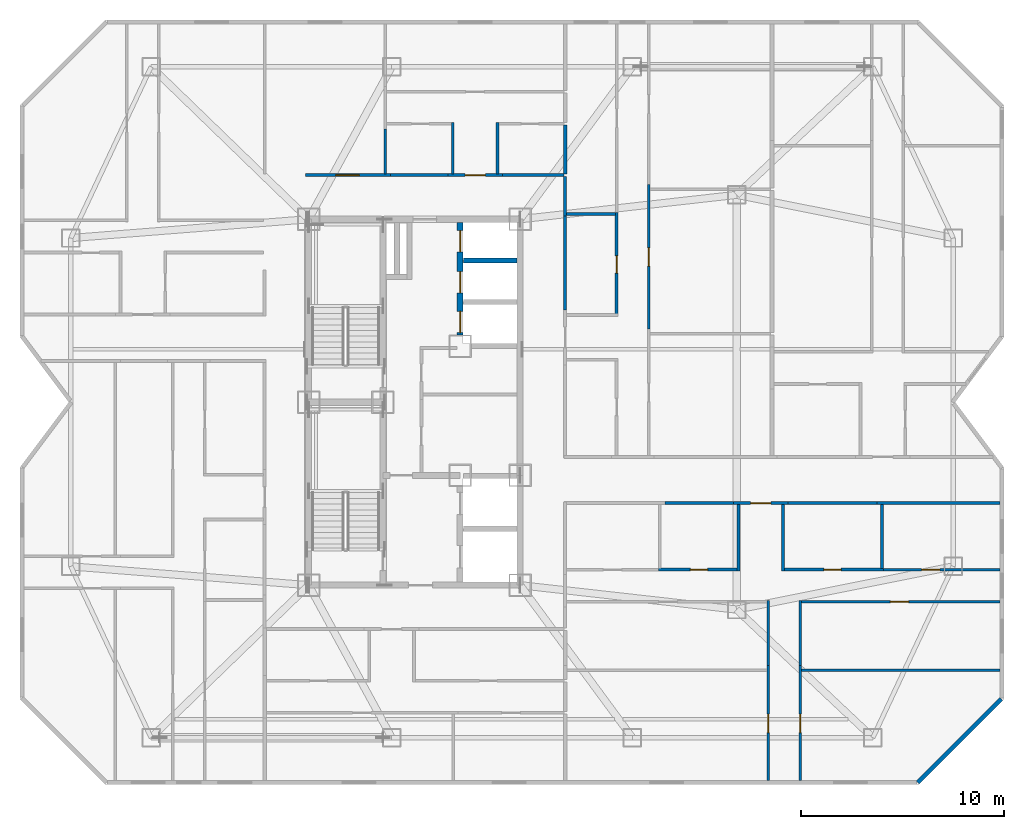
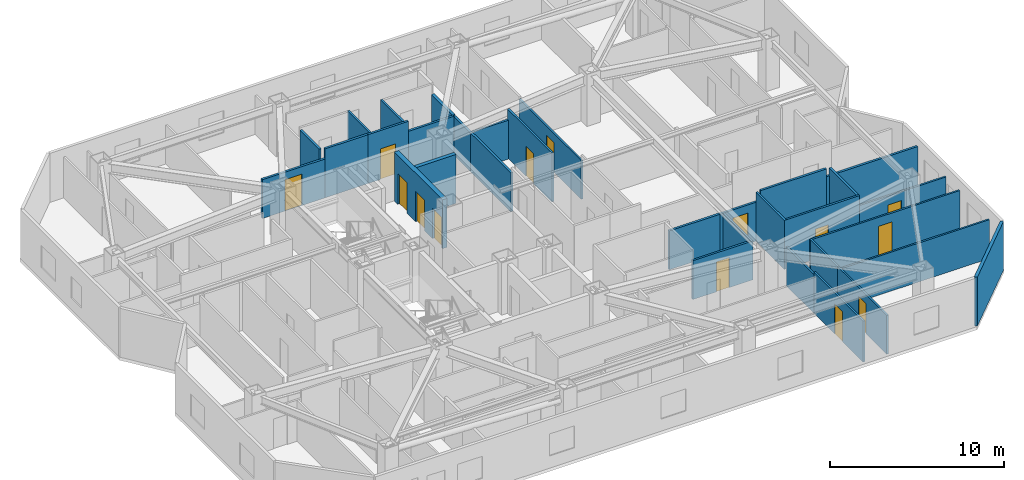
# One storey, part 8 of 11: 32 walls, 14 doors, 14 openings.
"""IFC4 building model written with IfcOpenShell, lengths in metres."""

from ifc_helpers import new_model, si_unit, direction, frame, frame_2d, origin, place, context, subcontext, project, spatial, rectangle, extrude, material, layer, layer_set, type_object, element, fill, save


model = new_model("IFC4")

# Units and contexts
model_context = context("Model", 3, precision=1e-05, world=origin(), true_north=direction((0.0, 1.0)))
body_context = subcontext(model_context, "Body", "Model", "MODEL_VIEW")
ifc_project = project(units=[si_unit("LENGTHUNIT", "METRE"), si_unit("AREAUNIT", "SQUARE_METRE"), si_unit("VOLUMEUNIT", "CUBIC_METRE"), si_unit("PLANEANGLEUNIT", "RADIAN"), si_unit("MASSUNIT", "GRAM", prefix="KILO")], contexts=[model_context])

# Site, building, storey
site_placement = place(None, origin())
site = spatial("IfcSite", under=ifc_project, at=site_placement, CompositionType="ELEMENT")
building_placement = place(site_placement, origin())
building = spatial("IfcBuilding", under=site, at=building_placement, Name="Khamvora Tower", CompositionType="ELEMENT")
storey_placement = place(building_placement, frame((0.0, 0.0, 185.10009765625)))
storey = spatial("IfcBuildingStorey", under=building, at=storey_placement, Name="L47", CompositionType="ELEMENT", Elevation=185.10009765625)

# Wall, openings, doors
ifc_material_1 = material(Name="Concrete C50/60", Category="concrete")
ifc_layer_1 = layer(ifc_material_1, 0.300048828125)
ifc_layer_set_1 = layer_set([ifc_layer_1], Name="Concrete C50/60")
wall_type_1 = type_object("IfcWallType", Name="WAL-CORE-300", PredefinedType="SHEAR", material=ifc_layer_set_1)
wall_1_placement = place(storey_placement, frame((36.449951171875, 31.300048828125, 0.0), z_axis=(0.0, 0.0, 1.0), x_axis=(0.0, 1.0, 0.0)))
wall_1 = element("IfcWall", 1, at=wall_1_placement, inside=storey, type_object=wall_type_1, Name="L47 central core lift bank central wall", PredefinedType="SHEAR", context=body_context, shape_type="SweptSolid", body=[
    extrude(rectangle(XDim=5.5458984375, YDim=0.300048828125, at=frame_2d((2.77294921875, 0.0))), origin(), (0.0, 0.0, 1.0), 3.429931640625),
])
opening_1_placement = place(wall_1_placement, frame((0.1201171875, 0.0, 0.0)))
opening_1 = element("IfcOpeningElement", 2, at=opening_1_placement, cuts=wall_1, Name="Opening LD-PL", PredefinedType="OPENING", context=body_context, shape_type="SweptSolid", body=[
    extrude(rectangle(XDim=1.050048828125, YDim=2.14990234375, at=frame_2d((0.52490234375, 1.074951171875))), frame((0.0, 0.159912109375, 0.0), z_axis=(0.0, -1.0, 0.0), x_axis=(1.0, 0.0, 0.0)), (0.0, 0.0, 1.0), 0.320068359375),
])
opening_2_placement = place(wall_1_placement, frame((2.074951171875, 0.0, 0.0)))
opening_2 = element("IfcOpeningElement", 3, at=opening_2_placement, cuts=wall_1, Name="Opening LD-PL", PredefinedType="OPENING", context=body_context, shape_type="SweptSolid", body=[
    extrude(rectangle(XDim=1.050048828125, YDim=2.14990234375, at=frame_2d((0.52490234375, 1.074951171875))), frame((0.0, 0.159912109375, 0.0), z_axis=(0.0, -1.0, 0.0), x_axis=(1.0, 0.0, 0.0)), (0.0, 0.0, 1.0), 0.320068359375),
])
opening_3_placement = place(wall_1_placement, frame((4.094970703125, 0.0, 0.0)))
opening_3 = element("IfcOpeningElement", 4, at=opening_3_placement, cuts=wall_1, Name="Opening LD-PL", PredefinedType="OPENING", context=body_context, shape_type="SweptSolid", body=[
    extrude(rectangle(XDim=1.050048828125, YDim=2.14990234375, at=frame_2d((0.52490234375, 1.074951171875))), frame((0.0, 0.159912109375, 0.0), z_axis=(0.0, -1.0, 0.0), x_axis=(1.0, 0.0, 0.0)), (0.0, 0.0, 1.0), 0.320068359375),
])
ifc_material_2 = material(Name="Powder-Coated Steel and Hardwood Leaf", Category="steel")
door_type_1 = type_object("IfcDoorType", Name="DOR-LIFT-1050", OperationType="SLIDING_TO_LEFT", PredefinedType="DOOR", material=ifc_material_2)
door_1_placement = place(opening_1_placement, origin())
door_1 = element("IfcDoor", 5, at=door_1_placement, inside=storey, type_object=door_type_1, Name="L47 lift landing sliding door PH-01", OperationType="SLIDING_TO_LEFT", OverallHeight=2.14990234375, OverallWidth=1.050048828125, PredefinedType="DOOR", context=body_context, shape_type="SweptSolid", body=[
    extrude(rectangle(XDim=1.050048828125, YDim=2.14990234375, at=frame_2d((0.52490234375, 1.074951171875))), frame((0.0, 0.02490234375, 0.0), z_axis=(0.0, -1.0, 0.0), x_axis=(1.0, 0.0, 0.0)), (0.0, 0.0, 1.0), 0.050048828125),
])
fill(opening_1, door_1)
door_2_placement = place(opening_2_placement, origin())
door_2 = element("IfcDoor", 6, at=door_2_placement, inside=storey, type_object=door_type_1, Name="L47 lift landing sliding door PH-02", OperationType="SLIDING_TO_LEFT", OverallHeight=2.14990234375, OverallWidth=1.050048828125, PredefinedType="DOOR", context=body_context, shape_type="SweptSolid", body=[
    extrude(rectangle(XDim=1.050048828125, YDim=2.14990234375, at=frame_2d((0.52490234375, 1.074951171875))), frame((0.0, 0.02490234375, 0.0), z_axis=(0.0, -1.0, 0.0), x_axis=(1.0, 0.0, 0.0)), (0.0, 0.0, 1.0), 0.050048828125),
])
fill(opening_2, door_2)
door_3_placement = place(opening_3_placement, origin())
door_3 = element("IfcDoor", 7, at=door_3_placement, inside=storey, type_object=door_type_1, Name="L47 lift landing sliding door PH-03", OperationType="SLIDING_TO_LEFT", OverallHeight=2.14990234375, OverallWidth=1.050048828125, PredefinedType="DOOR", context=body_context, shape_type="SweptSolid", body=[
    extrude(rectangle(XDim=1.050048828125, YDim=2.14990234375, at=frame_2d((0.52490234375, 1.074951171875))), frame((0.0, 0.02490234375, 0.0), z_axis=(0.0, -1.0, 0.0), x_axis=(1.0, 0.0, 0.0)), (0.0, 0.0, 1.0), 0.050048828125),
])
fill(opening_3, door_3)

# Wall, opening, door
ifc_material_3 = material(Name="Fire-Rated Drywall and Steel Stud", Category="steel")
ifc_layer_2 = layer(ifc_material_3, 0.14990234375)
ifc_layer_set_2 = layer_set([ifc_layer_2], Name="Fire-Rated Drywall and Steel Stud")
wall_type_2 = type_object("IfcWallType", Name="WAL-CORR-150", PredefinedType="STANDARD", material=ifc_layer_set_2)
wall_2_placement = place(storey_placement, frame((28.85009765625, 39.1650390625, 0.0), z_axis=(0.0, 0.0, 1.0), x_axis=(1.0, 0.0, 0.0)))
wall_2 = element("IfcWall", 8, at=wall_2_placement, inside=storey, type_object=wall_type_2, Name="L47 interior partition wall 005", PredefinedType="STANDARD", context=body_context, shape_type="SweptSolid", body=[
    extrude(rectangle(XDim=4.163818359375, YDim=0.14990234375, at=frame_2d((2.08203125, 0.0))), origin(), (0.0, 0.0, 1.0), 2.724853515625),
])
opening_4_placement = place(wall_2_placement, frame((1.486083984375, 0.0, 0.0)))
opening_4 = element("IfcOpeningElement", 9, at=opening_4_placement, cuts=wall_2, Name="Opening D-SC1", PredefinedType="OPENING", context=body_context, shape_type="SweptSolid", body=[
    extrude(rectangle(XDim=1.14990234375, YDim=2.199951171875, at=frame_2d((0.574951171875, 1.10009765625))), frame((0.0, 0.0849609375, 0.0), z_axis=(0.0, -1.0, 0.0), x_axis=(1.0, 0.0, 0.0)), (0.0, 0.0, 1.0), 0.169921875),
])
door_type_2 = type_object("IfcDoorType", Name="DOR-SCHL-1150", OperationType="NOTDEFINED", PredefinedType="DOOR", material=ifc_material_2)
door_4_placement = place(opening_4_placement, origin())
door_4 = element("IfcDoor", 10, at=door_4_placement, inside=storey, type_object=door_type_2, Name="L47 interior door COR-FSTD", OperationType="SINGLE_SWING_LEFT", OverallHeight=2.199951171875, OverallWidth=1.14990234375, PredefinedType="DOOR", context=body_context, shape_type="SweptSolid", body=[
    extrude(rectangle(XDim=1.14990234375, YDim=2.199951171875, at=frame_2d((0.574951171875, 1.10009765625))), frame((0.0, 0.02490234375, 0.0), z_axis=(0.0, -1.0, 0.0), x_axis=(1.0, 0.0, 0.0)), (0.0, 0.0, 1.0), 0.050048828125),
])
fill(opening_4, door_4)

wall_3_placement = place(storey_placement, frame((35.841064453125, 39.1650390625, 0.0), z_axis=(0.0, 0.0, 1.0), x_axis=(1.0, 0.0, 0.0)))
wall_3 = element("IfcWall", 11, at=wall_3_placement, inside=storey, type_object=wall_type_2, Name="L47 interior partition wall 021", PredefinedType="STANDARD", context=body_context, shape_type="SweptSolid", body=[
    extrude(rectangle(XDim=2.697998046875, YDim=0.14990234375, at=frame_2d((1.34912109375, 0.0))), origin(), (0.0, 0.0, 1.0), 3.429931640625),
])
opening_5_placement = place(wall_3_placement, frame((0.84912109375, 0.0, 0.0)))
opening_5 = element("IfcOpeningElement", 12, at=opening_5_placement, cuts=wall_3, Name="Opening D-U1", PredefinedType="OPENING", context=body_context, shape_type="SweptSolid", body=[
    extrude(rectangle(XDim=1.0, YDim=2.14990234375, at=frame_2d((0.5, 1.074951171875))), frame((0.0, 0.0849609375, 0.0), z_axis=(0.0, -1.0, 0.0), x_axis=(1.0, 0.0, 0.0)), (0.0, 0.0, 1.0), 0.169921875),
])
door_type_3 = type_object("IfcDoorType", Name="DOR-UNIT-1000", OperationType="NOTDEFINED", PredefinedType="DOOR", material=ifc_material_2)
door_5_placement = place(opening_5_placement, origin())
door_5 = element("IfcDoor", 13, at=door_5_placement, inside=storey, type_object=door_type_3, Name="L47 interior door COR-47NAH", OperationType="SINGLE_SWING_LEFT", OverallHeight=2.14990234375, OverallWidth=1.0, PredefinedType="DOOR", context=body_context, shape_type="SweptSolid", body=[
    extrude(rectangle(XDim=1.0, YDim=2.14990234375, at=frame_2d((0.5, 1.074951171875))), frame((0.0, 0.02490234375, 0.0), z_axis=(0.0, -1.0, 0.0), x_axis=(1.0, 0.0, 0.0)), (0.0, 0.0, 1.0), 0.050048828125),
])
fill(opening_5, door_5)

# Walls
wall_4_placement = place(storey_placement, frame((33.013916015625, 39.1650390625, 0.0), z_axis=(0.0, 0.0, 1.0), x_axis=(1.0, 0.0, 0.0)))
element("IfcWall", 14, at=wall_4_placement, inside=storey, type_object=wall_type_2, Name="L47 interior partition wall 022", PredefinedType="STANDARD", context=body_context, shape_type="SweptSolid", body=[
    extrude(rectangle(XDim=2.8271484375, YDim=0.14990234375, at=frame_2d((1.41357421875, 0.0))), origin(), (0.0, 0.0, 1.0), 3.429931640625),
])
wall_5_placement = place(storey_placement, frame((38.5390625, 39.1650390625, 0.0), z_axis=(0.0, 0.0, 1.0), x_axis=(1.0, 0.0, 0.0)))
element("IfcWall", 15, at=wall_5_placement, inside=storey, type_object=wall_type_2, Name="L47 interior partition wall 023", PredefinedType="STANDARD", context=body_context, shape_type="SweptSolid", body=[
    extrude(rectangle(XDim=3.010986328125, YDim=0.14990234375, at=frame_2d((1.50537109375, 0.0))), origin(), (0.0, 0.0, 1.0), 2.724853515625),
])
wall_6_placement = place(storey_placement, frame((63.008056640625, 23.034912109375, 0.0), z_axis=(0.0, 0.0, 1.0), x_axis=(-1.0, 0.0, 0.0)))
element("IfcWall", 16, at=wall_6_placement, inside=storey, type_object=wall_type_2, Name="L47 interior partition wall 026", PredefinedType="STANDARD", context=body_context, shape_type="SweptSolid", body=[
    extrude(rectangle(XDim=6.05712890625, YDim=0.14990234375, at=frame_2d((3.028564453125, 0.0))), origin(), (0.0, 0.0, 1.0), 2.8759765625),
])

# Wall, opening, door
wall_7_placement = place(storey_placement, frame((52.583984375, 23.034912109375, 0.0), z_axis=(0.0, 0.0, 1.0), x_axis=(-1.0, 0.0, 0.0)))
wall_7 = element("IfcWall", 17, at=wall_7_placement, inside=storey, type_object=wall_type_2, Name="L47 interior partition wall 027", PredefinedType="STANDARD", context=body_context, shape_type="SweptSolid", body=[
    extrude(rectangle(XDim=2.697998046875, YDim=0.14990234375, at=frame_2d((1.34912109375, 0.0))), origin(), (0.0, 0.0, 1.0), 2.724853515625),
])
opening_6_placement = place(wall_7_placement, frame((0.84912109375, 0.0, 0.0)))
opening_6 = element("IfcOpeningElement", 18, at=opening_6_placement, cuts=wall_7, Name="Opening D-U1", PredefinedType="OPENING", context=body_context, shape_type="SweptSolid", body=[
    extrude(rectangle(XDim=1.0, YDim=2.14990234375, at=frame_2d((0.5, 1.074951171875))), frame((0.0, 0.0849609375, 0.0), z_axis=(0.0, -1.0, 0.0), x_axis=(1.0, 0.0, 0.0)), (0.0, 0.0, 1.0), 0.169921875),
])
door_6_placement = place(opening_6_placement, origin())
door_6 = element("IfcDoor", 19, at=door_6_placement, inside=storey, type_object=door_type_3, Name="L47 interior door COR-47EAH", OperationType="SINGLE_SWING_RIGHT", OverallHeight=2.14990234375, OverallWidth=1.0, PredefinedType="DOOR", context=body_context, shape_type="SweptSolid", body=[
    extrude(rectangle(XDim=1.0, YDim=2.14990234375, at=frame_2d((0.5, 1.074951171875))), frame((0.0, 0.02490234375, 0.0), z_axis=(0.0, -1.0, 0.0), x_axis=(1.0, 0.0, 0.0)), (0.0, 0.0, 1.0), 0.050048828125),
])
fill(opening_6, door_6)

# Walls
wall_8_placement = place(storey_placement, frame((49.885986328125, 23.034912109375, 0.0), z_axis=(0.0, 0.0, 1.0), x_axis=(-1.0, 0.0, 0.0)))
element("IfcWall", 20, at=wall_8_placement, inside=storey, type_object=wall_type_2, Name="L47 interior partition wall 029", PredefinedType="STANDARD", context=body_context, shape_type="SweptSolid", body=[
    extrude(rectangle(XDim=3.366943359375, YDim=0.14990234375, at=frame_2d((1.68359375, 0.0))), origin(), (0.0, 0.0, 1.0), 2.724853515625),
])
wall_9_placement = place(storey_placement, frame((56.950927734375, 23.034912109375, 0.0), z_axis=(0.0, 0.0, 1.0), x_axis=(-1.0, 0.0, 0.0)))
element("IfcWall", 21, at=wall_9_placement, inside=storey, type_object=wall_type_2, Name="L47 interior partition wall 030", PredefinedType="STANDARD", context=body_context, shape_type="SweptSolid", body=[
    extrude(rectangle(XDim=4.366943359375, YDim=0.14990234375, at=frame_2d((2.18359375, 0.0))), origin(), (0.0, 0.0, 1.0), 3.429931640625),
])
wall_10_placement = place(storey_placement, frame((41.614990234375, 39.10009765625, 0.0), z_axis=(0.0, 0.0, 1.0), x_axis=(0.0, -1.0, 0.0)))
element("IfcWall", 22, at=wall_10_placement, inside=storey, type_object=wall_type_2, Name="L47 interior partition wall 032", PredefinedType="STANDARD", context=body_context, shape_type="SweptSolid", body=[
    extrude(rectangle(XDim=1.9501953125, YDim=0.14990234375, at=frame_2d((0.97509765625, 0.0))), origin(), (0.0, 0.0, 1.0), 2.724853515625),
])
wall_11_placement = place(storey_placement, frame((41.614990234375, 37.14990234375, 0.0), z_axis=(0.0, 0.0, 1.0), x_axis=(0.0, -1.0, 0.0)))
element("IfcWall", 23, at=wall_11_placement, inside=storey, type_object=wall_type_2, Name="L47 interior partition wall 037", PredefinedType="STANDARD", context=body_context, shape_type="SweptSolid", body=[
    extrude(rectangle(XDim=4.60986328125, YDim=0.14990234375, at=frame_2d((2.304931640625, 0.0))), origin(), (0.0, 0.0, 1.0), 2.724853515625),
])
ifc_material_4 = material(Name="Acoustic Double-Stud Fire Wall", Category="gypsum")
ifc_layer_3 = layer(ifc_material_4, 0.179931640625)
ifc_layer_set_3 = layer_set([ifc_layer_3], Name="Acoustic Double-Stud Fire Wall")
wall_type_3 = type_object("IfcWallType", Name="WAL-CORR-180", PredefinedType="STANDARD", material=ifc_layer_set_3)
wall_12_placement = place(storey_placement, frame((41.614990234375, 41.6298828125, 0.0), z_axis=(0.0, 0.0, 1.0), x_axis=(0.0, -1.0, 0.0)))
element("IfcWall", 24, at=wall_12_placement, inside=storey, type_object=wall_type_3, Name="L47 interior partition wall 088", PredefinedType="STANDARD", context=body_context, shape_type="SweptSolid", body=[
    extrude(rectangle(XDim=2.39990234375, YDim=0.179931640625, at=frame_2d((1.199951171875, 0.0))), origin(), (0.0, 0.0, 1.0), 2.724853515625),
])
ifc_material_5 = material(Name="Precast concrete C40/50", Category="concrete")
ifc_layer_4 = layer(ifc_material_5, 0.199951171875)
ifc_layer_set_4 = layer_set([ifc_layer_4], Name="Precast concrete C40/50")
wall_type_4 = type_object("IfcWallType", Name="WAL-EXT-200", PredefinedType="STANDARD", material=ifc_layer_set_4)
wall_13_placement = place(storey_placement, frame((63.056884765625, 13.39794921875, 0.0), z_axis=(0.0, 0.0, 1.0), x_axis=(-0.707106781187, -0.707106781187, 0.0)))
element("IfcWall", 25, at=wall_13_placement, inside=storey, type_object=wall_type_4, Name="L47 exterior facade wall 13.1", PredefinedType="STANDARD", context=body_context, shape_type="SweptSolid", body=[
    extrude(rectangle(XDim=5.79541015625, YDim=0.199951171875, at=frame_2d((2.897705078125, 0.0))), origin(), (0.0, 0.0, 1.0), 3.429931640625),
])

# Wall, opening, door
ifc_material_6 = material(Name="Gypsum Plasterboard Partition", Category="gypsum")
ifc_layer_5 = layer(ifc_material_6, 0.1201171875)
ifc_layer_set_5 = layer_set([ifc_layer_5], Name="Gypsum Plasterboard Partition")
wall_type_5 = type_object("IfcWallType", Name="WAL-PART-120", PredefinedType="PARTITIONING", material=ifc_layer_set_5)
wall_14_placement = place(storey_placement, frame((63.008056640625, 19.76611328125, 0.0), z_axis=(0.0, 0.0, 1.0), x_axis=(-1.0, 0.0, 0.0)))
wall_14 = element("IfcWall", 26, at=wall_14_placement, inside=storey, type_object=wall_type_5, Name="L47 interior partition wall 092", PredefinedType="PARTITIONING", context=body_context, shape_type="SweptSolid", body=[
    extrude(rectangle(XDim=5.7431640625, YDim=0.1201171875, at=frame_2d((2.87158203125, 0.0))), origin(), (0.0, 0.0, 1.0), 2.724853515625),
])
opening_7_placement = place(wall_14_placement, frame((2.965087890625, 0.0, 0.0)))
opening_7 = element("IfcOpeningElement", 27, at=opening_7_placement, cuts=wall_14, Name="Opening D-RM1", PredefinedType="OPENING", context=body_context, shape_type="SweptSolid", body=[
    extrude(rectangle(XDim=0.89990234375, YDim=2.10009765625, at=frame_2d((0.449951171875, 1.050048828125))), frame((0.0, 0.070068359375, 0.0), z_axis=(0.0, -1.0, 0.0), x_axis=(1.0, 0.0, 0.0)), (0.0, 0.0, 1.0), 0.14013671875),
])
door_type_4 = type_object("IfcDoorType", Name="DOR-ROOM-900", OperationType="NOTDEFINED", PredefinedType="DOOR", material=ifc_material_2)
door_7_placement = place(opening_7_placement, origin())
door_7 = element("IfcDoor", 28, at=door_7_placement, inside=storey, type_object=door_type_4, Name="L47 interior door 47EAW2-47EAH", OperationType="SINGLE_SWING_RIGHT", OverallHeight=2.10009765625, OverallWidth=0.89990234375, PredefinedType="DOOR", context=body_context, shape_type="SweptSolid", body=[
    extrude(rectangle(XDim=0.89990234375, YDim=2.10009765625, at=frame_2d((0.449951171875, 1.050048828125))), frame((0.0, 0.02490234375, 0.0), z_axis=(0.0, -1.0, 0.0), x_axis=(1.0, 0.0, 0.0)), (0.0, 0.0, 1.0), 0.050048828125),
])
fill(opening_7, door_7)

wall_15_placement = place(storey_placement, frame((51.60009765625, 9.39208984375, 0.0), z_axis=(0.0, 0.0, 1.0), x_axis=(0.0, 1.0, 0.0)))
wall_15 = element("IfcWall", 29, at=wall_15_placement, inside=storey, type_object=wall_type_5, Name="L47 interior partition wall 098", PredefinedType="PARTITIONING", context=body_context, shape_type="SweptSolid", body=[
    extrude(rectangle(XDim=5.666015625, YDim=0.1201171875, at=frame_2d((2.8330078125, 0.0))), origin(), (0.0, 0.0, 1.0), 2.8759765625),
])
opening_8_placement = place(wall_15_placement, frame((2.362060546875, 0.0, 0.0)))
opening_8 = element("IfcOpeningElement", 30, at=opening_8_placement, cuts=wall_15, Name="Opening D-RM1", PredefinedType="OPENING", context=body_context, shape_type="SweptSolid", body=[
    extrude(rectangle(XDim=0.89990234375, YDim=2.10009765625, at=frame_2d((0.449951171875, 1.050048828125))), frame((0.0, 0.070068359375, 0.0), z_axis=(0.0, -1.0, 0.0), x_axis=(1.0, 0.0, 0.0)), (0.0, 0.0, 1.0), 0.14013671875),
])
door_8_placement = place(opening_8_placement, origin())
door_8 = element("IfcDoor", 31, at=door_8_placement, inside=storey, type_object=door_type_4, Name="L47 interior door 47EAH-47EAR1", OperationType="SINGLE_SWING_LEFT", OverallHeight=2.10009765625, OverallWidth=0.89990234375, PredefinedType="DOOR", context=body_context, shape_type="SweptSolid", body=[
    extrude(rectangle(XDim=0.89990234375, YDim=2.10009765625, at=frame_2d((0.449951171875, 1.050048828125))), frame((0.0, 0.02490234375, 0.0), z_axis=(0.0, -1.0, 0.0), x_axis=(1.0, 0.0, 0.0)), (0.0, 0.0, 1.0), 0.050048828125),
])
fill(opening_8, door_8)

# Wall
wall_16_placement = place(storey_placement, frame((51.60009765625, 15.05810546875, 0.0), z_axis=(0.0, 0.0, 1.0), x_axis=(0.0, 1.0, 0.0)))
element("IfcWall", 32, at=wall_16_placement, inside=storey, type_object=wall_type_5, Name="L47 interior partition wall 099", PredefinedType="PARTITIONING", context=body_context, shape_type="SweptSolid", body=[
    extrude(rectangle(XDim=3.19287109375, YDim=0.1201171875, at=frame_2d((1.596435546875, 0.0))), origin(), (0.0, 0.0, 1.0), 2.724853515625),
])

# Wall, opening, door
wall_17_placement = place(storey_placement, frame((53.169921875, 15.05810546875, 0.0), z_axis=(0.0, 0.0, 1.0), x_axis=(0.0, -1.0, 0.0)))
wall_17 = element("IfcWall", 33, at=wall_17_placement, inside=storey, type_object=wall_type_5, Name="L47 interior partition wall 101", PredefinedType="PARTITIONING", context=body_context, shape_type="SweptSolid", body=[
    extrude(rectangle(XDim=5.666015625, YDim=0.1201171875, at=frame_2d((2.8330078125, 0.0))), origin(), (0.0, 0.0, 1.0), 2.724853515625),
])
opening_9_placement = place(wall_17_placement, frame((2.404052734375, 0.0, 0.0)))
opening_9 = element("IfcOpeningElement", 34, at=opening_9_placement, cuts=wall_17, Name="Opening D-RM1", PredefinedType="OPENING", context=body_context, shape_type="SweptSolid", body=[
    extrude(rectangle(XDim=0.89990234375, YDim=2.10009765625, at=frame_2d((0.449951171875, 1.050048828125))), frame((0.0, 0.070068359375, 0.0), z_axis=(0.0, -1.0, 0.0), x_axis=(1.0, 0.0, 0.0)), (0.0, 0.0, 1.0), 0.14013671875),
])
door_9_placement = place(opening_9_placement, origin())
door_9 = element("IfcDoor", 35, at=door_9_placement, inside=storey, type_object=door_type_4, Name="L47 interior door 47EAH-47EAR3", OperationType="SINGLE_SWING_LEFT", OverallHeight=2.10009765625, OverallWidth=0.89990234375, PredefinedType="DOOR", context=body_context, shape_type="SweptSolid", body=[
    extrude(rectangle(XDim=0.89990234375, YDim=2.10009765625, at=frame_2d((0.449951171875, 1.050048828125))), frame((0.0, 0.02490234375, 0.0), z_axis=(0.0, -1.0, 0.0), x_axis=(1.0, 0.0, 0.0)), (0.0, 0.0, 1.0), 0.050048828125),
])
fill(opening_9, door_9)

wall_18_placement = place(storey_placement, frame((63.008056640625, 18.18603515625, 0.0), z_axis=(0.0, 0.0, 1.0), x_axis=(-1.0, 0.0, 0.0)))
wall_18 = element("IfcWall", 36, at=wall_18_placement, inside=storey, type_object=wall_type_5, Name="L47 interior partition wall 102", PredefinedType="PARTITIONING", context=body_context, shape_type="SweptSolid", body=[
    extrude(rectangle(XDim=9.903076171875, YDim=0.1201171875, at=frame_2d((4.95166015625, 0.0))), origin(), (0.0, 0.0, 1.0), 2.724853515625),
])
opening_10_placement = place(wall_18_placement, frame((4.501953125, 0.0, 0.0)))
opening_10 = element("IfcOpeningElement", 37, at=opening_10_placement, cuts=wall_18, Name="Opening D-RM1", PredefinedType="OPENING", context=body_context, shape_type="SweptSolid", body=[
    extrude(rectangle(XDim=0.89990234375, YDim=2.10009765625, at=frame_2d((0.449951171875, 1.050048828125))), frame((0.0, 0.070068359375, 0.0), z_axis=(0.0, -1.0, 0.0), x_axis=(1.0, 0.0, 0.0)), (0.0, 0.0, 1.0), 0.14013671875),
])
door_10_placement = place(opening_10_placement, origin())
door_10 = element("IfcDoor", 38, at=door_10_placement, inside=storey, type_object=door_type_4, Name="L47 interior door 47EAH-47EAR4", OperationType="SINGLE_SWING_RIGHT", OverallHeight=2.10009765625, OverallWidth=0.89990234375, PredefinedType="DOOR", context=body_context, shape_type="SweptSolid", body=[
    extrude(rectangle(XDim=0.89990234375, YDim=2.10009765625, at=frame_2d((0.449951171875, 1.050048828125))), frame((0.0, 0.02490234375, 0.0), z_axis=(0.0, -1.0, 0.0), x_axis=(1.0, 0.0, 0.0)), (0.0, 0.0, 1.0), 0.050048828125),
])
fill(opening_10, door_10)

# Walls
wall_19_placement = place(storey_placement, frame((53.169921875, 18.2509765625, 0.0), z_axis=(0.0, 0.0, 1.0), x_axis=(0.0, -1.0, 0.0)))
element("IfcWall", 39, at=wall_19_placement, inside=storey, type_object=wall_type_5, Name="L47 interior partition wall 103", PredefinedType="PARTITIONING", context=body_context, shape_type="SweptSolid", body=[
    extrude(rectangle(XDim=3.19287109375, YDim=0.1201171875, at=frame_2d((1.596435546875, 0.0))), origin(), (0.0, 0.0, 1.0), 2.724853515625),
])
wall_20_placement = place(storey_placement, frame((53.22412109375, 14.80908203125, 0.0), z_axis=(0.0, 0.0, 1.0), x_axis=(1.0, 0.0, 0.0)))
element("IfcWall", 40, at=wall_20_placement, inside=storey, type_object=wall_type_5, Name="L47 interior partition wall 105", PredefinedType="PARTITIONING", context=body_context, shape_type="SweptSolid", body=[
    extrude(rectangle(XDim=9.783935546875, YDim=0.1201171875, at=frame_2d((4.89208984375, 0.0))), origin(), (0.0, 0.0, 1.0), 2.724853515625),
])

# Wall, opening, door
wall_21_placement = place(storey_placement, frame((45.72509765625, 38.717041015625, 0.0), z_axis=(0.0, 0.0, 1.0), x_axis=(0.0, -1.0, 0.0)))
wall_21 = element("IfcWall", 41, at=wall_21_placement, inside=storey, type_object=wall_type_5, Name="L47 interior partition wall 113", PredefinedType="PARTITIONING", context=body_context, shape_type="SweptSolid", body=[
    extrude(rectangle(XDim=7.10400390625, YDim=0.1201171875, at=frame_2d((3.552001953125, 0.0))), origin(), (0.0, 0.0, 1.0), 2.724853515625),
])
opening_11_placement = place(wall_21_placement, frame((3.123046875, 0.0, 0.0)))
opening_11 = element("IfcOpeningElement", 42, at=opening_11_placement, cuts=wall_21, Name="Opening D-RM1", PredefinedType="OPENING", context=body_context, shape_type="SweptSolid", body=[
    extrude(rectangle(XDim=0.89990234375, YDim=2.10009765625, at=frame_2d((0.449951171875, 1.050048828125))), frame((0.0, 0.070068359375, 0.0), z_axis=(0.0, -1.0, 0.0), x_axis=(1.0, 0.0, 0.0)), (0.0, 0.0, 1.0), 0.14013671875),
])
door_11_placement = place(opening_11_placement, origin())
door_11 = element("IfcDoor", 43, at=door_11_placement, inside=storey, type_object=door_type_4, Name="L47 interior door 47EBH-47EBR2", OperationType="SINGLE_SWING_LEFT", OverallHeight=2.10009765625, OverallWidth=0.89990234375, PredefinedType="DOOR", context=body_context, shape_type="SweptSolid", body=[
    extrude(rectangle(XDim=0.89990234375, YDim=2.10009765625, at=frame_2d((0.449951171875, 1.050048828125))), frame((0.0, 0.02490234375, 0.0), z_axis=(0.0, -1.0, 0.0), x_axis=(1.0, 0.0, 0.0)), (0.0, 0.0, 1.0), 0.050048828125),
])
fill(opening_11, door_11)

# Walls
ifc_material_7 = material(Name="Concrete C40/50", Category="concrete")
ifc_layer_6 = layer(ifc_material_7, 0.25)
ifc_layer_set_6 = layer_set([ifc_layer_6], Name="Concrete C40/50")
wall_type_6 = type_object("IfcWallType", Name="WAL-PODS-250", PredefinedType="SHEAR", material=ifc_layer_set_6)
wall_22_placement = place(storey_placement, frame((36.60400390625, 34.97509765625, 0.0), z_axis=(0.0, 0.0, 1.0), x_axis=(1.0, 0.0, 0.0)))
element("IfcWall", 44, at=wall_22_placement, inside=storey, type_object=wall_type_6, Name="L47 lift shaft divider wall PH-02", PredefinedType="SHEAR", context=body_context, shape_type="SweptSolid", body=[
    extrude(rectangle(XDim=2.64208984375, YDim=0.25, at=frame_2d((1.321044921875, 0.0))), origin(), (0.0, 0.0, 1.0), 3.429931640625),
])
ifc_material_8 = material(Name="Moisture-Resistant Plasterboard Partition", Category="gypsum")
ifc_layer_7 = layer(ifc_material_8, 0.135009765625)
ifc_layer_set_7 = layer_set([ifc_layer_7], Name="Moisture-Resistant Plasterboard Partition")
wall_type_7 = type_object("IfcWallType", Name="WAL-WET-135", PredefinedType="PARTITIONING", material=ifc_layer_set_7)
wall_23_placement = place(storey_placement, frame((32.764892578125, 41.446044921875, 0.0), z_axis=(0.0, 0.0, 1.0), x_axis=(0.0, -1.0, 0.0)))
element("IfcWall", 45, at=wall_23_placement, inside=storey, type_object=wall_type_7, Name="L47 interior partition wall 044", PredefinedType="PARTITIONING", context=body_context, shape_type="SweptSolid", body=[
    extrude(rectangle(XDim=2.214111328125, YDim=0.135009765625, at=frame_2d((1.10693359375, 0.0))), origin(), (0.0, 0.0, 1.0), 3.429931640625),
])
for number, where, z_axis, x_axis, name in (
    (46, (36.090087890625, 39.23193359375, 0.0), (0.0, 0.0, 1.0), (0.0, 1.0, 0.0), "L47 interior partition wall 082"),
    (47, (38.2900390625, 41.760009765625, 0.0), (0.0, 0.0, 1.0), (0.0, -1.0, 0.0), "L47 interior partition wall 085"),
):
    element("IfcWall", number, at=place(storey_placement, frame(where, z_axis=z_axis, x_axis=x_axis)), inside=storey, type_object=wall_type_7, Name=name, PredefinedType="PARTITIONING", context=body_context, shape_type="SweptSolid", body=[
        extrude(rectangle(XDim=2.528076171875, YDim=0.135009765625, at=frame_2d((1.26416015625, 0.0))), origin(), (0.0, 0.0, 1.0), 3.429931640625),
    ])
wall_24_placement = place(storey_placement, frame((57.199951171875, 19.8310546875, 0.0), z_axis=(0.0, 0.0, 1.0), x_axis=(0.0, 1.0, 0.0)))
element("IfcWall", 48, at=wall_24_placement, inside=storey, type_object=wall_type_7, Name="L47 interior partition wall 093", PredefinedType="PARTITIONING", context=body_context, shape_type="SweptSolid", body=[
    extrude(rectangle(XDim=3.138916015625, YDim=0.135009765625, at=frame_2d((1.5693359375, 0.0))), origin(), (0.0, 0.0, 1.0), 3.429931640625),
])

# Wall, opening, door
wall_25_placement = place(storey_placement, frame((46.205078125, 19.76611328125, 0.0), z_axis=(0.0, 0.0, 1.0), x_axis=(1.0, 0.0, 0.0)))
wall_25 = element("IfcWall", 49, at=wall_25_placement, inside=storey, type_object=wall_type_7, Name="L47 interior partition wall 094", PredefinedType="PARTITIONING", context=body_context, shape_type="SweptSolid", body=[
    extrude(rectangle(XDim=3.994873046875, YDim=0.135009765625, at=frame_2d((1.99755859375, 0.0))), origin(), (0.0, 0.0, 1.0), 2.724853515625),
])
opening_12_placement = place(wall_25_placement, frame((1.572998046875, 0.0, 0.0)))
opening_12 = element("IfcOpeningElement", 50, at=opening_12_placement, cuts=wall_25, Name="Opening D-WC1", PredefinedType="OPENING", context=body_context, shape_type="SweptSolid", body=[
    extrude(rectangle(XDim=0.85009765625, YDim=2.10009765625, at=frame_2d((0.425048828125, 1.050048828125))), frame((0.0, 0.077392578125, 0.0), z_axis=(0.0, -1.0, 0.0), x_axis=(1.0, 0.0, 0.0)), (0.0, 0.0, 1.0), 0.155029296875),
])
door_type_5 = type_object("IfcDoorType", Name="DOR-WET-850", OperationType="NOTDEFINED", PredefinedType="DOOR", material=ifc_material_2)
door_12_placement = place(opening_12_placement, origin())
door_12 = element("IfcDoor", 51, at=door_12_placement, inside=storey, type_object=door_type_5, Name="L47 interior door 47EAH-47EAB", OperationType="SINGLE_SWING_LEFT", OverallHeight=2.10009765625, OverallWidth=0.85009765625, PredefinedType="DOOR", context=body_context, shape_type="SweptSolid", body=[
    extrude(rectangle(XDim=0.85009765625, YDim=2.10009765625, at=frame_2d((0.425048828125, 1.050048828125))), frame((0.0, 0.02490234375, 0.0), z_axis=(0.0, -1.0, 0.0), x_axis=(1.0, 0.0, 0.0)), (0.0, 0.0, 1.0), 0.050048828125),
])
fill(opening_12, door_12)

# Walls
wall_26_placement = place(storey_placement, frame((50.135009765625, 19.700927734375, 0.0), z_axis=(0.0, 0.0, 1.0), x_axis=(0.0, 1.0, 0.0)))
element("IfcWall", 52, at=wall_26_placement, inside=storey, type_object=wall_type_7, Name="L47 interior partition wall 095", PredefinedType="PARTITIONING", context=body_context, shape_type="SweptSolid", body=[
    extrude(rectangle(XDim=3.26904296875, YDim=0.135009765625, at=frame_2d((1.634521484375, 0.0))), origin(), (0.0, 0.0, 1.0), 2.724853515625),
])
wall_27_placement = place(storey_placement, frame((52.3349609375, 22.969970703125, 0.0), z_axis=(0.0, 0.0, 1.0), x_axis=(0.0, -1.0, 0.0)))
element("IfcWall", 53, at=wall_27_placement, inside=storey, type_object=wall_type_7, Name="L47 interior partition wall 096", PredefinedType="PARTITIONING", context=body_context, shape_type="SweptSolid", body=[
    extrude(rectangle(XDim=3.26904296875, YDim=0.135009765625, at=frame_2d((1.634521484375, 0.0))), origin(), (0.0, 0.0, 1.0), 3.429931640625),
])

# Wall, opening, door
wall_28_placement = place(storey_placement, frame((52.27001953125, 19.76611328125, 0.0), z_axis=(0.0, 0.0, 1.0), x_axis=(1.0, 0.0, 0.0)))
wall_28 = element("IfcWall", 54, at=wall_28_placement, inside=storey, type_object=wall_type_7, Name="L47 interior partition wall 097", PredefinedType="PARTITIONING", context=body_context, shape_type="SweptSolid", body=[
    extrude(rectangle(XDim=4.994873046875, YDim=0.135009765625, at=frame_2d((2.49755859375, 0.0))), origin(), (0.0, 0.0, 1.0), 3.429931640625),
])
opening_13_placement = place(wall_28_placement, frame((2.072998046875, 0.0, 0.0)))
opening_13 = element("IfcOpeningElement", 55, at=opening_13_placement, cuts=wall_28, Name="Opening D-RM2", PredefinedType="OPENING", context=body_context, shape_type="SweptSolid", body=[
    extrude(rectangle(XDim=0.85009765625, YDim=2.10009765625, at=frame_2d((0.425048828125, 1.050048828125))), frame((0.0, 0.077392578125, 0.0), z_axis=(0.0, -1.0, 0.0), x_axis=(1.0, 0.0, 0.0)), (0.0, 0.0, 1.0), 0.155029296875),
])
door_type_6 = type_object("IfcDoorType", Name="DOR-ROOM-850", OperationType="NOTDEFINED", PredefinedType="DOOR", material=ifc_material_2)
door_13_placement = place(opening_13_placement, origin())
door_13 = element("IfcDoor", 56, at=door_13_placement, inside=storey, type_object=door_type_6, Name="L47 interior door 47EAH-47EAK", OperationType="SINGLE_SWING_RIGHT", OverallHeight=2.10009765625, OverallWidth=0.85009765625, PredefinedType="DOOR", context=body_context, shape_type="SweptSolid", body=[
    extrude(rectangle(XDim=0.85009765625, YDim=2.10009765625, at=frame_2d((0.425048828125, 1.050048828125))), frame((0.0, 0.02490234375, 0.0), z_axis=(0.0, -1.0, 0.0), x_axis=(1.0, 0.0, 0.0)), (0.0, 0.0, 1.0), 0.050048828125),
])
fill(opening_13, door_13)

# Wall
wall_29_placement = place(storey_placement, frame((44.080078125, 37.256103515625, 0.0), z_axis=(0.0, 0.0, 1.0), x_axis=(-1.0, 0.0, 0.0)))
element("IfcWall", 57, at=wall_29_placement, inside=storey, type_object=wall_type_7, Name="L47 interior partition wall 107", PredefinedType="PARTITIONING", context=body_context, shape_type="SweptSolid", body=[
    extrude(rectangle(XDim=2.398193359375, YDim=0.135009765625, at=frame_2d((1.19921875, 0.0))), origin(), (0.0, 0.0, 1.0), 2.724853515625),
])

# Wall, opening, door
wall_30_placement = place(storey_placement, frame((44.14501953125, 32.22607421875, 0.0), z_axis=(0.0, 0.0, 1.0), x_axis=(0.0, 1.0, 0.0)))
wall_30 = element("IfcWall", 58, at=wall_30_placement, inside=storey, type_object=wall_type_7, Name="L47 interior partition wall 111", PredefinedType="PARTITIONING", context=body_context, shape_type="SweptSolid", body=[
    extrude(rectangle(XDim=5.094970703125, YDim=0.135009765625, at=frame_2d((2.54736328125, 0.0))), origin(), (0.0, 0.0, 1.0), 3.429931640625),
])
opening_14_placement = place(wall_30_placement, frame((2.123046875, 0.0, 0.0)))
opening_14 = element("IfcOpeningElement", 59, at=opening_14_placement, cuts=wall_30, Name="Opening D-RM2", PredefinedType="OPENING", context=body_context, shape_type="SweptSolid", body=[
    extrude(rectangle(XDim=0.85009765625, YDim=2.10009765625, at=frame_2d((0.425048828125, 1.050048828125))), frame((0.0, 0.077392578125, 0.0), z_axis=(0.0, -1.0, 0.0), x_axis=(1.0, 0.0, 0.0)), (0.0, 0.0, 1.0), 0.155029296875),
])
door_14_placement = place(opening_14_placement, origin())
door_14 = element("IfcDoor", 60, at=door_14_placement, inside=storey, type_object=door_type_6, Name="L47 interior door 47EBH-47EBK", OperationType="SINGLE_SWING_LEFT", OverallHeight=2.10009765625, OverallWidth=0.85009765625, PredefinedType="DOOR", context=body_context, shape_type="SweptSolid", body=[
    extrude(rectangle(XDim=0.85009765625, YDim=2.10009765625, at=frame_2d((0.425048828125, 1.050048828125))), frame((0.0, 0.02490234375, 0.0), z_axis=(0.0, -1.0, 0.0), x_axis=(1.0, 0.0, 0.0)), (0.0, 0.0, 1.0), 0.050048828125),
])
fill(opening_14, door_14)

save(model, "model.ifc")
